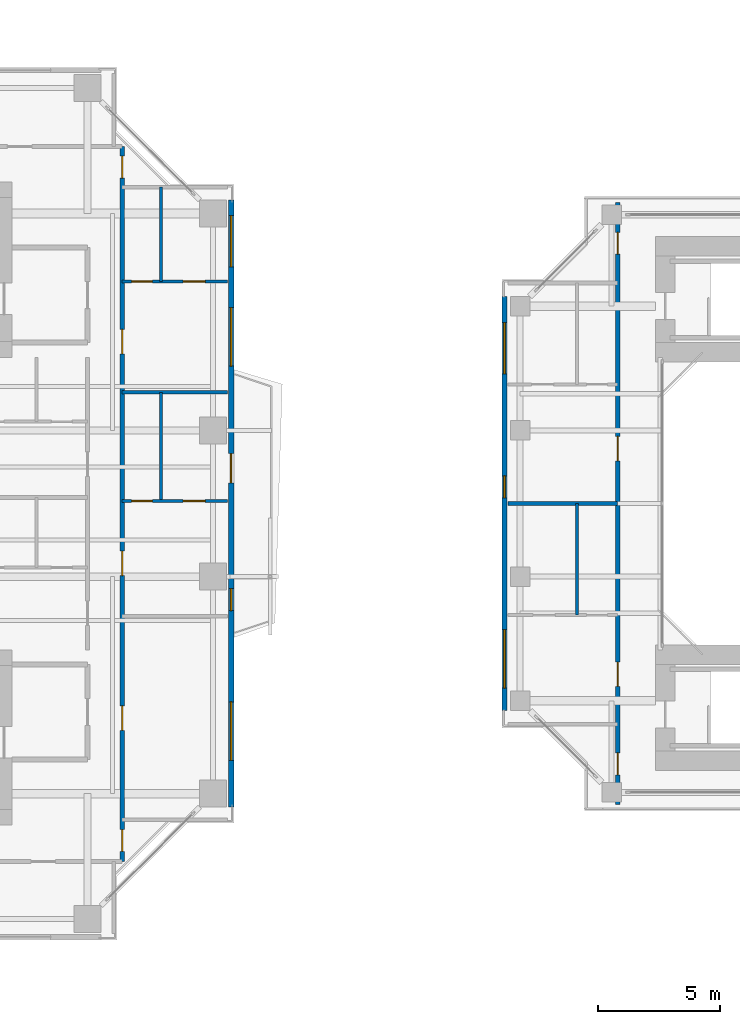
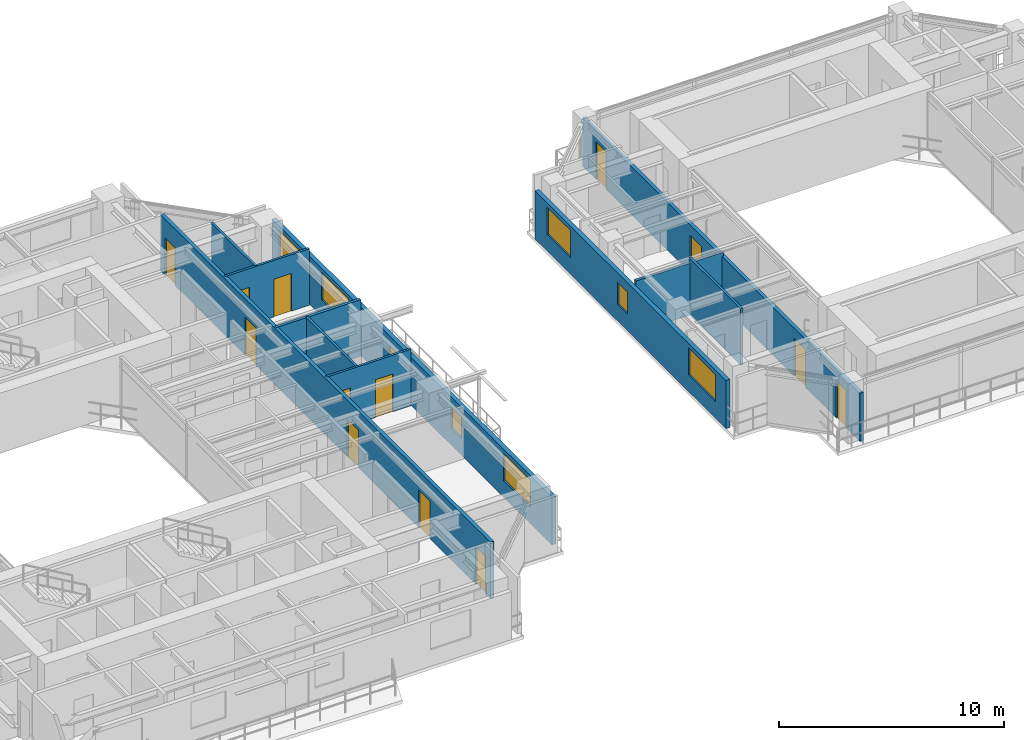
# One storey, part 17 of 24: 14 doors, 11 walls, 7 windows, 21 openings.
"""IFC4 building model written with IfcOpenShell, lengths in metres."""

import ifcopenshell
import ifcopenshell.guid

model = None  # the IFC model being written
_history = None  # IfcOwnerHistory: only IFC2X3 demands one
_inside = {}  # id of a spatial element -> (the spatial element, [elements in it])
_under = {}  # id of a project, library or spatial element -> (it, [spatial elements below it])
_declared = {}  # id of a project -> (the project, [libraries it declares])
_typed = {}  # id of a type object -> (the type object, [elements of that type])
_made_of = {}  # id of a material, layer set ... -> (it, [elements and type objects made of it])


def new_model(schema):
    """Start an empty IFC model of exactly this schema.

    Asked for "IFC4X3", IfcOpenShell would pick the latest addendum, in which some entities
    have other attributes; the version numbers below select the first issue.
    IFC2X3 requires an IfcOwnerHistory on every rooted entity: one is made here for all.
    """
    global model, _history
    if schema == "IFC4X3":
        model = ifcopenshell.file(schema_version=(4, 3, 0, 0))
    else:
        model = ifcopenshell.file(schema=schema)
    _inside.clear()
    _under.clear()
    _declared.clear()
    _typed.clear()
    _made_of.clear()
    _history = None
    if model.schema == "IFC2X3":
        org = make("IfcOrganization", Name="unknown")
        user = make(
            "IfcPersonAndOrganization",
            ThePerson=make("IfcPerson", FamilyName="unknown"),
            TheOrganization=org,
        )
        app = make(
            "IfcApplication",
            ApplicationDeveloper=org,
            Version="unknown",
            ApplicationFullName="unknown",
            ApplicationIdentifier="unknown",
        )
        _history = make(
            "IfcOwnerHistory",
            OwningUser=user,
            OwningApplication=app,
            ChangeAction="ADDED",
            CreationDate=0,
        )
    return model


def make(cls, **values):
    """One entity of the class cls with the attributes given. An attribute that is None is left unset."""
    return model.create_entity(
        cls, **{name: value for name, value in values.items() if value is not None}
    )


def rooted(cls, **values):
    """An entity with a GlobalId (a new one), such as an element, a storey or a relation."""
    return make(cls, GlobalId=ifcopenshell.guid.new(), OwnerHistory=_history, **values)


def si_unit(unit_type, name, prefix=None):
    """IfcSIUnit, for example si_unit("LENGTHUNIT", "METRE", prefix="MILLI")."""
    return make("IfcSIUnit", UnitType=unit_type, Prefix=prefix, Name=name)


def assignment(units):
    """IfcUnitAssignment: the units of a project."""
    return None if units is None else make("IfcUnitAssignment", Units=units)


def point(xyz):
    """IfcCartesianPoint."""
    return None if xyz is None else make("IfcCartesianPoint", Coordinates=xyz)


def direction(xyz):
    """IfcDirection."""
    return None if xyz is None else make("IfcDirection", DirectionRatios=xyz)


def frame(location, z_axis=None, x_axis=None):
    """IfcAxis2Placement3D, a coordinate frame: its origin and axes. An axis left out is left unset."""
    return make(
        "IfcAxis2Placement3D",
        Location=point(location),
        Axis=direction(z_axis),
        RefDirection=direction(x_axis),
    )


def frame_2d(location, x_axis=None):
    """IfcAxis2Placement2D, a coordinate frame in the plane: its origin and x axis."""
    return make(
        "IfcAxis2Placement2D", Location=point(location), RefDirection=direction(x_axis)
    )


def origin():
    """The frame at (0, 0, 0) with its axes left unset."""
    return frame((0.0, 0.0, 0.0))


def place(relative_to, where):
    """IfcLocalPlacement: puts the frame where relative to a parent placement (None: the world)."""
    return make(
        "IfcLocalPlacement", PlacementRelTo=relative_to, RelativePlacement=where
    )


def context(
    kind, dimensions, precision=None, world=None, true_north=None, identifier=None
):
    """IfcGeometricRepresentationContext, for example the 3D "Model" context."""
    return make(
        "IfcGeometricRepresentationContext",
        ContextIdentifier=identifier,
        ContextType=kind,
        CoordinateSpaceDimension=dimensions,
        Precision=precision,
        WorldCoordinateSystem=world,
        TrueNorth=true_north,
    )


def subcontext(parent, identifier, kind, view, scale=None):
    """IfcGeometricRepresentationSubContext, for example "Body" below "Model"."""
    return make(
        "IfcGeometricRepresentationSubContext",
        ContextIdentifier=identifier,
        ContextType=kind,
        ParentContext=parent,
        TargetScale=scale,
        TargetView=view,
    )


def project(units=None, contexts=None):
    """IfcProject with its units and contexts."""
    return rooted(
        "IfcProject",
        Name="project",
        RepresentationContexts=contexts,
        UnitsInContext=assignment(units),
    )


def spatial(cls, under=None, at=None, **own):
    """A site, building, storey or space (cls), placed at a placement, below another one or the project."""
    s = rooted(cls, ObjectPlacement=at, **own)
    if under is not None:
        _under.setdefault(under.id(), (under, []))[1].append(s)
    return s


def profile(cls, at=None, kind="AREA", **sizes):
    """A parametric profile (cls). Its sizes go by their IFC names, for example OverallWidth=200.0."""
    return make(cls, ProfileType=kind, Position=at, **sizes)


def rectangle(**sizes):
    """IfcRectangleProfileDef."""
    return profile("IfcRectangleProfileDef", **sizes)


def extrude(swept, where, along, depth):
    """IfcExtrudedAreaSolid: the profile swept, set in the frame where, extruded along a direction by depth."""
    return make(
        "IfcExtrudedAreaSolid",
        SweptArea=swept,
        Position=where,
        ExtrudedDirection=direction(along),
        Depth=depth,
    )


def shape(context_of_items, identifier, shape_type, items):
    """IfcShapeRepresentation: the items that make up one representation, for example the "Body"."""
    return make(
        "IfcShapeRepresentation",
        ContextOfItems=context_of_items,
        RepresentationIdentifier=identifier,
        RepresentationType=shape_type,
        Items=items,
    )


def source(mapping_origin, context_of_items, identifier, shape_type, items):
    """IfcRepresentationMap: a shape defined once, which mapped items show again and again."""
    return make(
        "IfcRepresentationMap",
        MappingOrigin=mapping_origin,
        MappedRepresentation=shape(context_of_items, identifier, shape_type, items),
    )


def transform(
    local_origin,
    x_axis=None,
    y_axis=None,
    z_axis=None,
    scale=None,
    scale2=None,
    scale3=None,
    uniform=True,
):
    """IfcCartesianTransformationOperator3D, or its non-uniform kind. x_axis, y_axis, z_axis: its Axis1, 2, 3."""
    if uniform:
        return make(
            "IfcCartesianTransformationOperator3D",
            Axis1=direction(x_axis),
            Axis2=direction(y_axis),
            LocalOrigin=point(local_origin),
            Scale=scale,
            Axis3=direction(z_axis),
        )
    return make(
        "IfcCartesianTransformationOperator3DnonUniform",
        Axis1=direction(x_axis),
        Axis2=direction(y_axis),
        LocalOrigin=point(local_origin),
        Scale=scale,
        Axis3=direction(z_axis),
        Scale2=scale2,
        Scale3=scale3,
    )


def mapped(mapping_source, mapping_target):
    """IfcMappedItem: shows the shape of a source again, moved by a transform."""
    return make(
        "IfcMappedItem", MappingSource=mapping_source, MappingTarget=mapping_target
    )


def material(Name=None, Category=None):
    """IfcMaterial."""
    return make("IfcMaterial", Name=Name, Category=Category)


def layer(
    of_material, thickness, ventilated=None, Name=None, Category=None, Priority=None
):
    """IfcMaterialLayer: one layer of a wall or slab, of a material (None: an air gap)."""
    return make(
        "IfcMaterialLayer",
        Material=of_material,
        LayerThickness=thickness,
        IsVentilated=ventilated,
        Name=Name,
        Category=Category,
        Priority=Priority,
    )


def layer_set(layers, Name=None):
    """IfcMaterialLayerSet."""
    return make("IfcMaterialLayerSet", MaterialLayers=layers, LayerSetName=Name)


def made_of(thing, what):
    """Note that an element or type object is made of a material, layer set ...; save() writes the relation."""
    if what is not None:
        _made_of.setdefault(what.id(), (what, []))[1].append(thing)
    return thing


def type_object(cls, material=None, **own):
    """A type object (cls), such as IfcWallType, which elements share."""
    return made_of(rooted(cls, **own), material)


def element(
    cls,
    number,
    at=None,
    inside=None,
    cuts=None,
    type_object=None,
    material=None,
    context=None,
    identifier="Body",
    shape_type=None,
    held_by="IfcProductDefinitionShape",
    body=None,
    shapes=None,
    **own,
):
    """One element of the class cls, such as IfcWall. Its Tag is "e" and its number.

    at: its placement. inside: the storey or other place that contains it. cuts: it is an
    opening in that element (IfcRelVoidsElement). A single representation is given by context,
    identifier, shape_type and body (its items); several are given by shapes. held_by: the class
    of the entity that holds the representations. save() writes the other relations.
    """
    e = rooted(cls, Tag="e%d" % number, ObjectPlacement=at, **own)
    if body is not None:
        shapes = [shape(context, identifier, shape_type, body)]
    if shapes is not None:
        e.Representation = make(held_by, Representations=shapes)
    if inside is not None:
        _inside.setdefault(inside.id(), (inside, []))[1].append(e)
    if cuts is not None:
        rooted(
            "IfcRelVoidsElement", RelatingBuildingElement=cuts, RelatedOpeningElement=e
        )
    if type_object is not None:
        _typed.setdefault(type_object.id(), (type_object, []))[1].append(e)
    return made_of(e, material)


def fill(opening, filler):
    """IfcRelFillsElement: the door or window that sits in an opening."""
    return rooted(
        "IfcRelFillsElement",
        RelatingOpeningElement=opening,
        RelatedBuildingElement=filler,
    )


def aggregate(whole, parts):
    """IfcRelAggregates: a whole, such as a stair, and the parts it consists of."""
    return rooted("IfcRelAggregates", RelatingObject=whole, RelatedObjects=parts)


def save(model, path):
    """Write the relations noted so far, then the file.

    IfcRelAggregates (storeys below a building ...), IfcRelContainedInSpatialStructure (elements
    in a storey), IfcRelDefinesByType, IfcRelAssociatesMaterial and IfcRelDeclares: one each for
    every whole, place, type object, material and project.
    """
    for whole, parts in _under.values():
        aggregate(whole, parts)
    for where, things in _inside.values():
        rooted(
            "IfcRelContainedInSpatialStructure",
            RelatedElements=things,
            RelatingStructure=where,
        )
    for kind, things in _typed.values():
        rooted("IfcRelDefinesByType", RelatedObjects=things, RelatingType=kind)
    for what, things in _made_of.values():
        rooted("IfcRelAssociatesMaterial", RelatedObjects=things, RelatingMaterial=what)
    for by, libraries in _declared.values():
        rooted("IfcRelDeclares", RelatingContext=by, RelatedDefinitions=libraries)
    model.write(path)


model = new_model("IFC4")

# Units and contexts
model_context = context("Model", 3, precision=1e-05, world=origin(), true_north=direction((0.0, 1.0)))
body_context = subcontext(model_context, "Body", "Model", "MODEL_VIEW")
ifc_project = project(units=[si_unit("LENGTHUNIT", "METRE"), si_unit("AREAUNIT", "SQUARE_METRE"), si_unit("VOLUMEUNIT", "CUBIC_METRE"), si_unit("PLANEANGLEUNIT", "RADIAN"), si_unit("MASSUNIT", "GRAM", prefix="KILO"), si_unit("THERMODYNAMICTEMPERATUREUNIT", "KELVIN"), si_unit("POWERUNIT", "WATT")], contexts=[model_context])

# Site, building, storey
site_placement = place(None, origin())
site = spatial("IfcSite", under=ifc_project, at=site_placement, CompositionType="ELEMENT")
building_placement = place(site_placement, origin())
building = spatial("IfcBuilding", under=site, at=building_placement, Name="Qiaomeng Ring Towers", CompositionType="ELEMENT")
storey_placement = place(building_placement, frame((0.0, 0.0, 110.0)))
storey = spatial("IfcBuildingStorey", under=building, at=storey_placement, Name="L31", CompositionType="ELEMENT", Elevation=110.0)

# Wall, openings, windows, door
ifc_material_1 = material(Name="Precast concrete C40", Category="concrete")
ifc_layer_1 = layer(ifc_material_1, 0.219970703125, Name="Precast concrete C40")
ifc_layer_set_1 = layer_set([ifc_layer_1], Name="Precast concrete C40")
wall_type_1 = type_object("IfcWallType", Name="ARC-WL-EW2", PredefinedType="STANDARD", material=ifc_layer_set_1)
wall_1_placement = place(storey_placement, frame((36.7900390625, 10.550048828125, 0.0), z_axis=(0.0, 0.0, 1.0), x_axis=(0.0, 1.0, 0.0)))
wall_1 = element("IfcWall", 1, at=wall_1_placement, inside=storey, type_object=wall_type_1, Name="L31 Tower 1 E Exterior Wall", PredefinedType="STANDARD", context=body_context, shape_type="SweptSolid", body=[
    extrude(rectangle(XDim=24.89990234375, YDim=0.219970703125, at=frame_2d((12.449951171875, 0.0))), origin(), (0.0, 0.0, 1.0), 2.610107421875),
])
opening_1_placement = place(wall_1_placement, frame((13.300048828125, 0.0, 0.0)))
opening_1 = element("IfcOpeningElement", 2, at=opening_1_placement, cuts=wall_1, Name="Opening BD1", PredefinedType="OPENING", context=body_context, shape_type="SweptSolid", body=[
    extrude(rectangle(XDim=1.199951171875, YDim=2.10009765625, at=frame_2d((0.60009765625, 1.050048828125))), frame((0.0, 0.119873046875, 0.0), z_axis=(0.0, -1.0, 0.0), x_axis=(1.0, 0.0, 0.0)), (0.0, 0.0, 1.0), 0.239990234375),
])
opening_2_placement = place(wall_1_placement, frame((1.912109375, 0.0, 0.89990234375)))
opening_2 = element("IfcOpeningElement", 3, at=opening_2_placement, cuts=wall_1, Name="Opening WN6", PredefinedType="OPENING", context=body_context, shape_type="SweptSolid", body=[
    extrude(rectangle(XDim=2.39990234375, YDim=1.47998046875, at=frame_2d((1.199951171875, 0.739990234375))), frame((0.0, 0.119873046875, 0.0), z_axis=(0.0, -1.0, 0.0), x_axis=(1.0, 0.0, 0.0)), (0.0, 0.0, 1.0), 0.239990234375),
])
opening_3_placement = place(wall_1_placement, frame((22.1650390625, 0.0, 0.89990234375)))
opening_3 = element("IfcOpeningElement", 4, at=opening_3_placement, cuts=wall_1, Name="Opening WN4", PredefinedType="OPENING", context=body_context, shape_type="SweptSolid", body=[
    extrude(rectangle(XDim=2.10009765625, YDim=1.5, at=frame_2d((1.050048828125, 0.75))), frame((0.0, 0.119873046875, 0.0), z_axis=(0.0, -1.0, 0.0), x_axis=(1.0, 0.0, 0.0)), (0.0, 0.0, 1.0), 0.239990234375),
])
opening_4_placement = place(wall_1_placement, frame((18.092529296875, 0.0, 0.89990234375)))
opening_4 = element("IfcOpeningElement", 5, at=opening_4_placement, cuts=wall_1, Name="Opening WN6", PredefinedType="OPENING", context=body_context, shape_type="SweptSolid", body=[
    extrude(rectangle(XDim=2.39990234375, YDim=1.5, at=frame_2d((1.199951171875, 0.75))), frame((0.0, 0.119873046875, 0.0), z_axis=(0.0, -1.0, 0.0), x_axis=(1.0, 0.0, 0.0)), (0.0, 0.0, 1.0), 0.239990234375),
])
opening_5_placement = place(wall_1_placement, frame((8.054931640625, 0.0, 0.89990234375)))
opening_5 = element("IfcOpeningElement", 6, at=opening_5_placement, cuts=wall_1, Name="Opening WN5", PredefinedType="OPENING", context=body_context, shape_type="SweptSolid", body=[
    extrude(rectangle(XDim=0.89990234375, YDim=1.199951171875, at=frame_2d((0.449951171875, 0.60009765625))), frame((0.0, 0.119873046875, 0.0), z_axis=(0.0, -1.0, 0.0), x_axis=(1.0, 0.0, 0.0)), (0.0, 0.0, 1.0), 0.239990234375),
])
ifc_material_2 = material(Name="Low-E dark-grey laminated double glazing", Category="glass")
window_type_1 = type_object("IfcWindowType", Name="ARC-WN-4", PartitioningType="TRIPLE_PANEL_VERTICAL", PredefinedType="WINDOW", material=ifc_material_2)
shared_shape_1 = source(origin(), body_context, "Body", "SweptSolid", [
    extrude(rectangle(XDim=2.10009765625, YDim=1.5, at=frame_2d((1.050048828125, 0.75))), frame((0.0, 0.030029296875, 0.0), z_axis=(0.0, -1.0, 0.0), x_axis=(1.0, 0.0, 0.0)), (0.0, 0.0, 1.0), 0.06005859375),
])
window_1_placement = place(opening_3_placement, origin())
window_1 = element("IfcWindow", 7, at=window_1_placement, inside=storey, type_object=window_type_1, Name="L31 Exterior Window WN4", OverallHeight=1.5, OverallWidth=2.10009765625, PartitioningType="TRIPLE_PANEL_VERTICAL", PredefinedType="WINDOW", context=body_context, shape_type="MappedRepresentation", body=[
    mapped(shared_shape_1, transform((0.0, 0.0, 0.0), x_axis=(1.0, 0.0, 0.0), y_axis=(0.0, 1.0, 0.0), z_axis=(0.0, 0.0, 1.0), scale=1.0)),
])
fill(opening_3, window_1)
window_type_2 = type_object("IfcWindowType", Name="ARC-WN-6", PartitioningType="TRIPLE_PANEL_VERTICAL", PredefinedType="WINDOW", material=ifc_material_2)
shared_shape_2 = source(origin(), body_context, "Body", "SweptSolid", [
    extrude(rectangle(XDim=2.39990234375, YDim=1.47998046875, at=frame_2d((1.199951171875, 0.739990234375))), frame((0.0, 0.030029296875, 0.0), z_axis=(0.0, -1.0, 0.0), x_axis=(1.0, 0.0, 0.0)), (0.0, 0.0, 1.0), 0.06005859375),
])
window_2_placement = place(opening_2_placement, origin())
window_2 = element("IfcWindow", 8, at=window_2_placement, inside=storey, type_object=window_type_2, Name="L31 Exterior Window WN6", OverallHeight=1.47998046875, OverallWidth=2.39990234375, PartitioningType="TRIPLE_PANEL_VERTICAL", PredefinedType="WINDOW", context=body_context, shape_type="MappedRepresentation", body=[
    mapped(shared_shape_2, transform((0.0, 0.0, 0.0), x_axis=(1.0, 0.0, 0.0), y_axis=(0.0, 1.0, 0.0), z_axis=(0.0, 0.0, 1.0), scale=1.0)),
])
fill(opening_2, window_2)
door_type_1 = type_object("IfcDoorType", Name="ARC-DR-BD1", OperationType="NOTDEFINED", PredefinedType="DOOR", material=ifc_material_2)
shared_shape_3 = source(origin(), body_context, "Body", "SweptSolid", [
    extrude(rectangle(XDim=1.199951171875, YDim=2.10009765625, at=frame_2d((0.60009765625, 1.050048828125))), frame((0.0, 0.02490234375, 0.0), z_axis=(0.0, -1.0, 0.0), x_axis=(1.0, 0.0, 0.0)), (0.0, 0.0, 1.0), 0.050048828125),
])
door_1_placement = place(opening_1_placement, origin())
door_1 = element("IfcDoor", 9, at=door_1_placement, inside=storey, type_object=door_type_1, Name="L31 E Balcony Glazed Door", OperationType="SINGLE_SWING_LEFT", OverallHeight=2.10009765625, OverallWidth=1.199951171875, PredefinedType="DOOR", context=body_context, shape_type="MappedRepresentation", body=[
    mapped(shared_shape_3, transform((0.0, 0.0, 0.0), x_axis=(1.0, 0.0, 0.0), y_axis=(0.0, 1.0, 0.0), z_axis=(0.0, 0.0, 1.0), scale=1.0)),
])
fill(opening_1, door_1)
shared_shape_4 = source(origin(), body_context, "Body", "SweptSolid", [
    extrude(rectangle(XDim=2.39990234375, YDim=1.5, at=frame_2d((1.199951171875, 0.75))), frame((0.0, 0.030029296875, 0.0), z_axis=(0.0, -1.0, 0.0), x_axis=(1.0, 0.0, 0.0)), (0.0, 0.0, 1.0), 0.06005859375),
])
window_3_placement = place(opening_4_placement, origin())
window_3 = element("IfcWindow", 10, at=window_3_placement, inside=storey, type_object=window_type_2, Name="L31 Exterior Window WN6", OverallHeight=1.5, OverallWidth=2.39990234375, PartitioningType="TRIPLE_PANEL_VERTICAL", PredefinedType="WINDOW", context=body_context, shape_type="MappedRepresentation", body=[
    mapped(shared_shape_4, transform((0.0, 0.0, 0.0), x_axis=(1.0, 0.0, 0.0), y_axis=(0.0, 1.0, 0.0), z_axis=(0.0, 0.0, 1.0), scale=1.0)),
])
fill(opening_4, window_3)
window_type_3 = type_object("IfcWindowType", Name="ARC-WN-5", PartitioningType="SINGLE_PANEL", PredefinedType="WINDOW", material=ifc_material_2)
shared_shape_5 = source(origin(), body_context, "Body", "SweptSolid", [
    extrude(rectangle(XDim=0.89990234375, YDim=1.199951171875, at=frame_2d((0.449951171875, 0.60009765625))), frame((0.0, 0.030029296875, 0.0), z_axis=(0.0, -1.0, 0.0), x_axis=(1.0, 0.0, 0.0)), (0.0, 0.0, 1.0), 0.06005859375),
])
window_4_placement = place(opening_5_placement, origin())
window_4 = element("IfcWindow", 11, at=window_4_placement, inside=storey, type_object=window_type_3, Name="L31 Exterior Window WN5", OverallHeight=1.199951171875, OverallWidth=0.89990234375, PartitioningType="SINGLE_PANEL", PredefinedType="WINDOW", context=body_context, shape_type="MappedRepresentation", body=[
    mapped(shared_shape_5, transform((0.0, 0.0, 0.0), x_axis=(1.0, 0.0, 0.0), y_axis=(0.0, 1.0, 0.0), z_axis=(0.0, 0.0, 1.0), scale=1.0)),
])
fill(opening_5, window_4)

# Wall, openings, windows
wall_2_placement = place(storey_placement, frame((48.010009765625, 14.5, 0.0), z_axis=(0.0, 0.0, 1.0), x_axis=(0.0, 1.0, 0.0)))
wall_2 = element("IfcWall", 12, at=wall_2_placement, inside=storey, type_object=wall_type_1, Name="L31 Companion West Wall", PredefinedType="STANDARD", context=body_context, shape_type="SweptSolid", body=[
    extrude(rectangle(XDim=17.0, YDim=0.219970703125, at=frame_2d((8.5, 0.0))), origin(), (0.0, 0.0, 1.0), 2.610107421875),
])
opening_6_placement = place(wall_2_placement, frame((0.925048828125, 0.0, 0.89990234375)))
opening_6 = element("IfcOpeningElement", 13, at=opening_6_placement, cuts=wall_2, Name="Opening WN6", PredefinedType="OPENING", context=body_context, shape_type="SweptSolid", body=[
    extrude(rectangle(XDim=2.39990234375, YDim=1.47998046875, at=frame_2d((1.199951171875, 0.739990234375))), frame((0.0, 0.119873046875, 0.0), z_axis=(0.0, -1.0, 0.0), x_axis=(1.0, 0.0, 0.0)), (0.0, 0.0, 1.0), 0.239990234375),
])
opening_7_placement = place(wall_2_placement, frame((13.824951171875, 0.0, 0.89990234375)))
opening_7 = element("IfcOpeningElement", 14, at=opening_7_placement, cuts=wall_2, Name="Opening WN4", PredefinedType="OPENING", context=body_context, shape_type="SweptSolid", body=[
    extrude(rectangle(XDim=2.10009765625, YDim=1.47998046875, at=frame_2d((1.050048828125, 0.739990234375))), frame((0.0, 0.119873046875, 0.0), z_axis=(0.0, -1.0, 0.0), x_axis=(1.0, 0.0, 0.0)), (0.0, 0.0, 1.0), 0.239990234375),
])
opening_8_placement = place(wall_2_placement, frame((8.735107421875, 0.0, 0.89990234375)))
opening_8 = element("IfcOpeningElement", 15, at=opening_8_placement, cuts=wall_2, Name="Opening WN5", PredefinedType="OPENING", context=body_context, shape_type="SweptSolid", body=[
    extrude(rectangle(XDim=0.89990234375, YDim=1.199951171875, at=frame_2d((0.449951171875, 0.60009765625))), frame((0.0, 0.119873046875, 0.0), z_axis=(0.0, -1.0, 0.0), x_axis=(1.0, 0.0, 0.0)), (0.0, 0.0, 1.0), 0.239990234375),
])
shared_shape_6 = source(origin(), body_context, "Body", "SweptSolid", [
    extrude(rectangle(XDim=2.10009765625, YDim=1.47998046875, at=frame_2d((1.050048828125, 0.739990234375))), frame((0.0, 0.030029296875, 0.0), z_axis=(0.0, -1.0, 0.0), x_axis=(1.0, 0.0, 0.0)), (0.0, 0.0, 1.0), 0.06005859375),
])
window_5_placement = place(opening_7_placement, origin())
window_5 = element("IfcWindow", 16, at=window_5_placement, inside=storey, type_object=window_type_1, Name="L31 Exterior Window WN4", OverallHeight=1.47998046875, OverallWidth=2.10009765625, PartitioningType="TRIPLE_PANEL_VERTICAL", PredefinedType="WINDOW", context=body_context, shape_type="MappedRepresentation", body=[
    mapped(shared_shape_6, transform((0.0, 0.0, 0.0), x_axis=(1.0, 0.0, 0.0), y_axis=(0.0, 1.0, 0.0), z_axis=(0.0, 0.0, 1.0), scale=1.0)),
])
fill(opening_7, window_5)
window_6_placement = place(opening_6_placement, origin())
window_6 = element("IfcWindow", 17, at=window_6_placement, inside=storey, type_object=window_type_2, Name="L31 Exterior Window WN6", OverallHeight=1.47998046875, OverallWidth=2.39990234375, PartitioningType="TRIPLE_PANEL_VERTICAL", PredefinedType="WINDOW", context=body_context, shape_type="MappedRepresentation", body=[
    mapped(shared_shape_2, transform((0.0, 0.0, 0.0), x_axis=(1.0, 0.0, 0.0), y_axis=(0.0, 1.0, 0.0), z_axis=(0.0, 0.0, 1.0), scale=1.0)),
])
fill(opening_6, window_6)
window_7_placement = place(opening_8_placement, origin())
window_7 = element("IfcWindow", 18, at=window_7_placement, inside=storey, type_object=window_type_3, Name="L31 Exterior Window WN5", OverallHeight=1.199951171875, OverallWidth=0.89990234375, PartitioningType="SINGLE_PANEL", PredefinedType="WINDOW", context=body_context, shape_type="MappedRepresentation", body=[
    mapped(shared_shape_5, transform((0.0, 0.0, 0.0), x_axis=(1.0, 0.0, 0.0), y_axis=(0.0, 1.0, 0.0), z_axis=(0.0, 0.0, 1.0), scale=1.0)),
])
fill(opening_8, window_7)

# Wall, openings, doors
ifc_material_3 = material(Name="Autoclaved aerated concrete block", Category="concrete")
ifc_layer_2 = layer(ifc_material_3, 0.179931640625, Name="Autoclaved aerated concrete block")
ifc_layer_set_2 = layer_set([ifc_layer_2], Name="Autoclaved aerated concrete block")
wall_type_2 = type_object("IfcWallType", Name="ARC-WL-PW2", PredefinedType="PARTITIONING", material=ifc_layer_set_2)
wall_3_placement = place(storey_placement, frame((32.320068359375, 8.31005859375, 0.0), z_axis=(0.0, 0.0, 1.0), x_axis=(0.0, 1.0, 0.0)))
wall_3 = element("IfcWall", 19, at=wall_3_placement, inside=storey, type_object=wall_type_2, Name="L31 Interior Wall PW2", PredefinedType="PARTITIONING", context=body_context, shape_type="SweptSolid", body=[
    extrude(rectangle(XDim=29.33984375, YDim=0.179931640625, at=frame_2d((14.669921875, 0.0))), origin(), (0.0, 0.0, 1.0), 3.070068359375),
])
opening_9_placement = place(wall_3_placement, frame((28.044921875, 0.0, 0.0)))
opening_9 = element("IfcOpeningElement", 20, at=opening_9_placement, cuts=wall_3, Name="Opening ID1", PredefinedType="OPENING", context=body_context, shape_type="SweptSolid", body=[
    extrude(rectangle(XDim=0.89990234375, YDim=2.050048828125, at=frame_2d((0.449951171875, 1.02490234375))), frame((0.0, 0.099853515625, 0.0), z_axis=(0.0, -1.0, 0.0), x_axis=(1.0, 0.0, 0.0)), (0.0, 0.0, 1.0), 0.199951171875),
])
opening_10_placement = place(wall_3_placement, frame((0.4150390625, 0.0, 0.0)))
opening_10 = element("IfcOpeningElement", 21, at=opening_10_placement, cuts=wall_3, Name="Opening ID1", PredefinedType="OPENING", context=body_context, shape_type="SweptSolid", body=[
    extrude(rectangle(XDim=0.89990234375, YDim=2.050048828125, at=frame_2d((0.449951171875, 1.02490234375))), frame((0.0, 0.099853515625, 0.0), z_axis=(0.0, -1.0, 0.0), x_axis=(1.0, 0.0, 0.0)), (0.0, 0.0, 1.0), 0.199951171875),
])
opening_11_placement = place(wall_3_placement, frame((5.385009765625, 0.0, 0.0)))
opening_11 = element("IfcOpeningElement", 22, at=opening_11_placement, cuts=wall_3, Name="Opening FD4", PredefinedType="OPENING", context=body_context, shape_type="SweptSolid", body=[
    extrude(rectangle(XDim=1.0, YDim=2.050048828125, at=frame_2d((0.5, 1.02490234375))), frame((0.0, 0.099853515625, 0.0), z_axis=(0.0, -1.0, 0.0), x_axis=(1.0, 0.0, 0.0)), (0.0, 0.0, 1.0), 0.199951171875),
])
opening_12_placement = place(wall_3_placement, frame((11.735107421875, 0.0, 0.0)))
opening_12 = element("IfcOpeningElement", 23, at=opening_12_placement, cuts=wall_3, Name="Opening FD4", PredefinedType="OPENING", context=body_context, shape_type="SweptSolid", body=[
    extrude(rectangle(XDim=1.0, YDim=2.050048828125, at=frame_2d((0.5, 1.02490234375))), frame((0.0, 0.099853515625, 0.0), z_axis=(0.0, -1.0, 0.0), x_axis=(1.0, 0.0, 0.0)), (0.0, 0.0, 1.0), 0.199951171875),
])
opening_13_placement = place(wall_3_placement, frame((20.8349609375, 0.0, 0.0)))
opening_13 = element("IfcOpeningElement", 24, at=opening_13_placement, cuts=wall_3, Name="Opening FD4", PredefinedType="OPENING", context=body_context, shape_type="SweptSolid", body=[
    extrude(rectangle(XDim=1.0, YDim=2.050048828125, at=frame_2d((0.5, 1.02490234375))), frame((0.0, 0.099853515625, 0.0), z_axis=(0.0, -1.0, 0.0), x_axis=(1.0, 0.0, 0.0)), (0.0, 0.0, 1.0), 0.199951171875),
])
ifc_material_4 = material(Name="Engineered fire-rated oak timber", Category="wood")
door_type_2 = type_object("IfcDoorType", Name="ARC-DR-FD4", OperationType="NOTDEFINED", PredefinedType="DOOR", material=ifc_material_4)
shared_shape_7 = source(origin(), body_context, "Body", "SweptSolid", [
    extrude(rectangle(XDim=1.0, YDim=2.050048828125, at=frame_2d((0.5, 1.02490234375))), frame((0.0, 0.02490234375, 0.0), z_axis=(0.0, -1.0, 0.0), x_axis=(1.0, 0.0, 0.0)), (0.0, 0.0, 1.0), 0.050048828125),
])
door_2_placement = place(opening_11_placement, origin())
door_2 = element("IfcDoor", 25, at=door_2_placement, inside=storey, type_object=door_type_2, Name="L31 Door FD4", OperationType="SINGLE_SWING_LEFT", OverallHeight=2.050048828125, OverallWidth=1.0, PredefinedType="DOOR", context=body_context, shape_type="MappedRepresentation", body=[
    mapped(shared_shape_7, transform((0.0, 0.0, 0.0), x_axis=(1.0, 0.0, 0.0), y_axis=(0.0, 1.0, 0.0), z_axis=(0.0, 0.0, 1.0), scale=1.0)),
])
fill(opening_11, door_2)
door_3_placement = place(opening_12_placement, origin())
door_3 = element("IfcDoor", 26, at=door_3_placement, inside=storey, type_object=door_type_2, Name="L31 Door FD4", OperationType="SINGLE_SWING_RIGHT", OverallHeight=2.050048828125, OverallWidth=1.0, PredefinedType="DOOR", context=body_context, shape_type="MappedRepresentation", body=[
    mapped(shared_shape_7, transform((0.0, 0.0, 0.0), x_axis=(1.0, 0.0, 0.0), y_axis=(0.0, 1.0, 0.0), z_axis=(0.0, 0.0, 1.0), scale=1.0)),
])
fill(opening_12, door_3)
door_4_placement = place(opening_13_placement, origin())
door_4 = element("IfcDoor", 27, at=door_4_placement, inside=storey, type_object=door_type_2, Name="L31 Door FD4", OperationType="SINGLE_SWING_LEFT", OverallHeight=2.050048828125, OverallWidth=1.0, PredefinedType="DOOR", context=body_context, shape_type="MappedRepresentation", body=[
    mapped(shared_shape_7, transform((0.0, 0.0, 0.0), x_axis=(1.0, 0.0, 0.0), y_axis=(0.0, 1.0, 0.0), z_axis=(0.0, 0.0, 1.0), scale=1.0)),
])
fill(opening_13, door_4)
ifc_material_5 = material(Name="Engineered oak timber", Category="wood")
door_type_3 = type_object("IfcDoorType", Name="ARC-DR-ID1", OperationType="NOTDEFINED", PredefinedType="DOOR", material=ifc_material_5)
shared_shape_8 = source(origin(), body_context, "Body", "SweptSolid", [
    extrude(rectangle(XDim=0.89990234375, YDim=2.050048828125, at=frame_2d((0.449951171875, 1.02490234375))), frame((0.0, 0.02490234375, 0.0), z_axis=(0.0, -1.0, 0.0), x_axis=(1.0, 0.0, 0.0)), (0.0, 0.0, 1.0), 0.050048828125),
])
door_5_placement = place(opening_9_placement, origin())
door_5 = element("IfcDoor", 28, at=door_5_placement, inside=storey, type_object=door_type_3, Name="L31 Door ID1", OperationType="SINGLE_SWING_LEFT", OverallHeight=2.050048828125, OverallWidth=0.89990234375, PredefinedType="DOOR", context=body_context, shape_type="MappedRepresentation", body=[
    mapped(shared_shape_8, transform((0.0, 0.0, 0.0), x_axis=(1.0, 0.0, 0.0), y_axis=(0.0, 1.0, 0.0), z_axis=(0.0, 0.0, 1.0), scale=1.0)),
])
fill(opening_9, door_5)
door_6_placement = place(opening_10_placement, origin())
door_6 = element("IfcDoor", 29, at=door_6_placement, inside=storey, type_object=door_type_3, Name="L31 Door ID1", OperationType="SINGLE_SWING_RIGHT", OverallHeight=2.050048828125, OverallWidth=0.89990234375, PredefinedType="DOOR", context=body_context, shape_type="MappedRepresentation", body=[
    mapped(shared_shape_8, transform((0.0, 0.0, 0.0), x_axis=(1.0, 0.0, 0.0), y_axis=(0.0, 1.0, 0.0), z_axis=(0.0, 0.0, 1.0), scale=1.0)),
])
fill(opening_10, door_6)

wall_4_placement = place(storey_placement, frame((52.64990234375, 10.64990234375, 0.0), z_axis=(0.0, 0.0, 1.0), x_axis=(0.0, 1.0, 0.0)))
wall_4 = element("IfcWall", 30, at=wall_4_placement, inside=storey, type_object=wall_type_2, Name="L31 Interior Wall PW2", PredefinedType="PARTITIONING", context=body_context, shape_type="SweptSolid", body=[
    extrude(rectangle(XDim=24.7001953125, YDim=0.179931640625, at=frame_2d((12.35009765625, 0.0))), origin(), (0.0, 0.0, 1.0), 2.614990234375),
])
opening_14_placement = place(wall_4_placement, frame((22.580078125, 0.0, 0.0)))
opening_14 = element("IfcOpeningElement", 31, at=opening_14_placement, cuts=wall_4, Name="Opening ID1", PredefinedType="OPENING", context=body_context, shape_type="SweptSolid", body=[
    extrude(rectangle(XDim=0.89990234375, YDim=2.050048828125, at=frame_2d((0.449951171875, 1.02490234375))), frame((0.0, 0.099853515625, 0.0), z_axis=(0.0, -1.0, 0.0), x_axis=(1.0, 0.0, 0.0)), (0.0, 0.0, 1.0), 0.199951171875),
])
opening_15_placement = place(wall_4_placement, frame((1.219970703125, 0.0, 0.0)))
opening_15 = element("IfcOpeningElement", 32, at=opening_15_placement, cuts=wall_4, Name="Opening ID1", PredefinedType="OPENING", context=body_context, shape_type="SweptSolid", body=[
    extrude(rectangle(XDim=0.89990234375, YDim=2.050048828125, at=frame_2d((0.449951171875, 1.02490234375))), frame((0.0, 0.099853515625, 0.0), z_axis=(0.0, -1.0, 0.0), x_axis=(1.0, 0.0, 0.0)), (0.0, 0.0, 1.0), 0.199951171875),
])
opening_16_placement = place(wall_4_placement, frame((4.844970703125, 0.0, 0.0)))
opening_16 = element("IfcOpeningElement", 33, at=opening_16_placement, cuts=wall_4, Name="Opening FD4", PredefinedType="OPENING", context=body_context, shape_type="SweptSolid", body=[
    extrude(rectangle(XDim=1.0, YDim=2.050048828125, at=frame_2d((0.5, 1.02490234375))), frame((0.0, 0.099853515625, 0.0), z_axis=(0.0, -1.0, 0.0), x_axis=(1.0, 0.0, 0.0)), (0.0, 0.0, 1.0), 0.199951171875),
])
opening_17_placement = place(wall_4_placement, frame((14.10498046875, 0.0, 0.0)))
opening_17 = element("IfcOpeningElement", 34, at=opening_17_placement, cuts=wall_4, Name="Opening FD4", PredefinedType="OPENING", context=body_context, shape_type="SweptSolid", body=[
    extrude(rectangle(XDim=1.0, YDim=2.050048828125, at=frame_2d((0.5, 1.02490234375))), frame((0.0, 0.099853515625, 0.0), z_axis=(0.0, -1.0, 0.0), x_axis=(1.0, 0.0, 0.0)), (0.0, 0.0, 1.0), 0.199951171875),
])
door_7_placement = place(opening_16_placement, origin())
door_7 = element("IfcDoor", 35, at=door_7_placement, inside=storey, type_object=door_type_2, Name="L31 Door FD4", OperationType="SINGLE_SWING_RIGHT", OverallHeight=2.050048828125, OverallWidth=1.0, PredefinedType="DOOR", context=body_context, shape_type="MappedRepresentation", body=[
    mapped(shared_shape_7, transform((0.0, 0.0, 0.0), x_axis=(1.0, 0.0, 0.0), y_axis=(0.0, 1.0, 0.0), z_axis=(0.0, 0.0, 1.0), scale=1.0)),
])
fill(opening_16, door_7)
door_8_placement = place(opening_17_placement, origin())
door_8 = element("IfcDoor", 36, at=door_8_placement, inside=storey, type_object=door_type_2, Name="L31 Door FD4", OperationType="SINGLE_SWING_LEFT", OverallHeight=2.050048828125, OverallWidth=1.0, PredefinedType="DOOR", context=body_context, shape_type="MappedRepresentation", body=[
    mapped(shared_shape_7, transform((0.0, 0.0, 0.0), x_axis=(1.0, 0.0, 0.0), y_axis=(0.0, 1.0, 0.0), z_axis=(0.0, 0.0, 1.0), scale=1.0)),
])
fill(opening_17, door_8)
door_9_placement = place(opening_14_placement, origin())
door_9 = element("IfcDoor", 37, at=door_9_placement, inside=storey, type_object=door_type_3, Name="L31 Door ID1", OperationType="SINGLE_SWING_RIGHT", OverallHeight=2.050048828125, OverallWidth=0.89990234375, PredefinedType="DOOR", context=body_context, shape_type="MappedRepresentation", body=[
    mapped(shared_shape_8, transform((0.0, 0.0, 0.0), x_axis=(1.0, 0.0, 0.0), y_axis=(0.0, 1.0, 0.0), z_axis=(0.0, 0.0, 1.0), scale=1.0)),
])
fill(opening_14, door_9)
door_10_placement = place(opening_15_placement, origin())
door_10 = element("IfcDoor", 38, at=door_10_placement, inside=storey, type_object=door_type_3, Name="L31 Door ID1", OperationType="SINGLE_SWING_LEFT", OverallHeight=2.050048828125, OverallWidth=0.89990234375, PredefinedType="DOOR", context=body_context, shape_type="MappedRepresentation", body=[
    mapped(shared_shape_8, transform((0.0, 0.0, 0.0), x_axis=(1.0, 0.0, 0.0), y_axis=(0.0, 1.0, 0.0), z_axis=(0.0, 0.0, 1.0), scale=1.0)),
])
fill(opening_15, door_10)

# Walls
ifc_material_6 = material(Name="Gypsum fireboard steel-stud partition", Category="steel")
ifc_layer_3 = layer(ifc_material_6, 0.14990234375, Name="Gypsum fireboard steel-stud partition")
ifc_layer_set_3 = layer_set([ifc_layer_3], Name="Gypsum fireboard steel-stud partition")
wall_type_3 = type_object("IfcWallType", Name="ARC-WL-PW3", PredefinedType="PARTITIONING", material=ifc_layer_set_3)
wall_5_placement = place(storey_placement, frame((32.320068359375, 27.56005859375, 0.0), z_axis=(0.0, 0.0, 1.0), x_axis=(1.0, 0.0, 0.0)))
element("IfcWall", 39, at=wall_5_placement, inside=storey, type_object=wall_type_3, Name="L31 Interior Wall PW3", PredefinedType="PARTITIONING", context=body_context, shape_type="SweptSolid", body=[
    extrude(rectangle(XDim=4.329833984375, YDim=0.14990234375, at=frame_2d((2.1650390625, 0.0))), origin(), (0.0, 0.0, 1.0), 3.070068359375),
])
wall_6_placement = place(storey_placement, frame((48.14990234375, 23.0, 0.0), z_axis=(0.0, 0.0, 1.0), x_axis=(1.0, 0.0, 0.0)))
element("IfcWall", 40, at=wall_6_placement, inside=storey, type_object=wall_type_3, Name="L31 Interior Wall PW3", PredefinedType="PARTITIONING", context=body_context, shape_type="SweptSolid", body=[
    extrude(rectangle(XDim=4.5, YDim=0.14990234375, at=frame_2d((2.25, 0.0))), origin(), (0.0, 0.0, 1.0), 2.821044921875),
])

# Wall, openings, doors
ifc_material_7 = material(Name="Moisture-resistant gypsum steel-stud partition", Category="steel")
ifc_layer_4 = layer(ifc_material_7, 0.1201171875, Name="Moisture-resistant gypsum steel-stud partition")
ifc_layer_set_4 = layer_set([ifc_layer_4], Name="Moisture-resistant gypsum steel-stud partition")
wall_type_4 = type_object("IfcWallType", Name="ARC-WL-PW4", PredefinedType="PLUMBINGWALL", material=ifc_layer_set_4)
wall_7_placement = place(storey_placement, frame((32.320068359375, 23.10009765625, 0.0), z_axis=(0.0, 0.0, 1.0), x_axis=(1.0, 0.0, 0.0)))
wall_7 = element("IfcWall", 41, at=wall_7_placement, inside=storey, type_object=wall_type_4, Name="L31 Interior Wall PW4", PredefinedType="PLUMBINGWALL", context=body_context, shape_type="SweptSolid", body=[
    extrude(rectangle(XDim=4.329833984375, YDim=0.1201171875, at=frame_2d((2.1650390625, 0.0))), origin(), (0.0, 0.0, 1.0), 3.070068359375),
])
opening_18_placement = place(wall_7_placement, frame((0.385009765625, 0.0, 0.0)))
opening_18 = element("IfcOpeningElement", 42, at=opening_18_placement, cuts=wall_7, Name="Opening ID2", PredefinedType="OPENING", context=body_context, shape_type="SweptSolid", body=[
    extrude(rectangle(XDim=0.85009765625, YDim=2.050048828125, at=frame_2d((0.425048828125, 1.02490234375))), frame((0.0, 0.070068359375, 0.0), z_axis=(0.0, -1.0, 0.0), x_axis=(1.0, 0.0, 0.0)), (0.0, 0.0, 1.0), 0.14013671875),
])
opening_19_placement = place(wall_7_placement, frame((2.5048828125, 0.0, 0.0)))
opening_19 = element("IfcOpeningElement", 43, at=opening_19_placement, cuts=wall_7, Name="Opening ID1", PredefinedType="OPENING", context=body_context, shape_type="SweptSolid", body=[
    extrude(rectangle(XDim=0.89990234375, YDim=2.050048828125, at=frame_2d((0.449951171875, 1.02490234375))), frame((0.0, 0.070068359375, 0.0), z_axis=(0.0, -1.0, 0.0), x_axis=(1.0, 0.0, 0.0)), (0.0, 0.0, 1.0), 0.14013671875),
])
ifc_material_8 = material(Name="Moisture-resistant engineered timber", Category="wood")
door_type_4 = type_object("IfcDoorType", Name="ARC-DR-ID2", OperationType="NOTDEFINED", PredefinedType="DOOR", material=ifc_material_8)
shared_shape_9 = source(origin(), body_context, "Body", "SweptSolid", [
    extrude(rectangle(XDim=0.85009765625, YDim=2.050048828125, at=frame_2d((0.425048828125, 1.02490234375))), frame((0.0, 0.02490234375, 0.0), z_axis=(0.0, -1.0, 0.0), x_axis=(1.0, 0.0, 0.0)), (0.0, 0.0, 1.0), 0.050048828125),
])
door_11_placement = place(opening_18_placement, origin())
door_11 = element("IfcDoor", 44, at=door_11_placement, inside=storey, type_object=door_type_4, Name="L31 Door ID2", OperationType="SINGLE_SWING_RIGHT", OverallHeight=2.050048828125, OverallWidth=0.85009765625, PredefinedType="DOOR", context=body_context, shape_type="MappedRepresentation", body=[
    mapped(shared_shape_9, transform((0.0, 0.0, 0.0), x_axis=(1.0, 0.0, 0.0), y_axis=(0.0, 1.0, 0.0), z_axis=(0.0, 0.0, 1.0), scale=1.0)),
])
fill(opening_18, door_11)
door_12_placement = place(opening_19_placement, origin())
door_12 = element("IfcDoor", 45, at=door_12_placement, inside=storey, type_object=door_type_3, Name="L31 Door ID1", OperationType="SINGLE_SWING_LEFT", OverallHeight=2.050048828125, OverallWidth=0.89990234375, PredefinedType="DOOR", context=body_context, shape_type="MappedRepresentation", body=[
    mapped(shared_shape_8, transform((0.0, 0.0, 0.0), x_axis=(1.0, 0.0, 0.0), y_axis=(0.0, 1.0, 0.0), z_axis=(0.0, 0.0, 1.0), scale=1.0)),
])
fill(opening_19, door_12)

# Wall
wall_8_placement = place(storey_placement, frame((33.919921875, 23.10009765625, 0.0), z_axis=(0.0, 0.0, 1.0), x_axis=(0.0, 1.0, 0.0)))
element("IfcWall", 46, at=wall_8_placement, inside=storey, type_object=wall_type_4, Name="L31 Interior Wall PW4", PredefinedType="PLUMBINGWALL", context=body_context, shape_type="SweptSolid", body=[
    extrude(rectangle(XDim=4.4599609375, YDim=0.1201171875, at=frame_2d((2.22998046875, 0.0))), origin(), (0.0, 0.0, 1.0), 3.070068359375),
])

# Wall, openings, doors
wall_9_placement = place(storey_placement, frame((32.320068359375, 32.110107421875, 0.0), z_axis=(0.0, 0.0, 1.0), x_axis=(1.0, 0.0, 0.0)))
wall_9 = element("IfcWall", 47, at=wall_9_placement, inside=storey, type_object=wall_type_4, Name="L31 Interior Wall PW4", PredefinedType="PLUMBINGWALL", context=body_context, shape_type="SweptSolid", body=[
    extrude(rectangle(XDim=4.329833984375, YDim=0.1201171875, at=frame_2d((2.1650390625, 0.0))), origin(), (0.0, 0.0, 1.0), 3.070068359375),
])
opening_20_placement = place(wall_9_placement, frame((0.385009765625, 0.0, 0.0)))
opening_20 = element("IfcOpeningElement", 48, at=opening_20_placement, cuts=wall_9, Name="Opening ID2", PredefinedType="OPENING", context=body_context, shape_type="SweptSolid", body=[
    extrude(rectangle(XDim=0.85009765625, YDim=2.050048828125, at=frame_2d((0.425048828125, 1.02490234375))), frame((0.0, 0.070068359375, 0.0), z_axis=(0.0, -1.0, 0.0), x_axis=(1.0, 0.0, 0.0)), (0.0, 0.0, 1.0), 0.14013671875),
])
opening_21_placement = place(wall_9_placement, frame((2.5048828125, 0.0, 0.0)))
opening_21 = element("IfcOpeningElement", 49, at=opening_21_placement, cuts=wall_9, Name="Opening ID1", PredefinedType="OPENING", context=body_context, shape_type="SweptSolid", body=[
    extrude(rectangle(XDim=0.89990234375, YDim=2.050048828125, at=frame_2d((0.449951171875, 1.02490234375))), frame((0.0, 0.070068359375, 0.0), z_axis=(0.0, -1.0, 0.0), x_axis=(1.0, 0.0, 0.0)), (0.0, 0.0, 1.0), 0.14013671875),
])
door_13_placement = place(opening_20_placement, origin())
door_13 = element("IfcDoor", 50, at=door_13_placement, inside=storey, type_object=door_type_4, Name="L31 Door ID2", OperationType="SINGLE_SWING_LEFT", OverallHeight=2.050048828125, OverallWidth=0.85009765625, PredefinedType="DOOR", context=body_context, shape_type="MappedRepresentation", body=[
    mapped(shared_shape_9, transform((0.0, 0.0, 0.0), x_axis=(1.0, 0.0, 0.0), y_axis=(0.0, 1.0, 0.0), z_axis=(0.0, 0.0, 1.0), scale=1.0)),
])
fill(opening_20, door_13)
door_14_placement = place(opening_21_placement, origin())
door_14 = element("IfcDoor", 51, at=door_14_placement, inside=storey, type_object=door_type_3, Name="L31 Door ID1", OperationType="SINGLE_SWING_RIGHT", OverallHeight=2.050048828125, OverallWidth=0.89990234375, PredefinedType="DOOR", context=body_context, shape_type="MappedRepresentation", body=[
    mapped(shared_shape_8, transform((0.0, 0.0, 0.0), x_axis=(1.0, 0.0, 0.0), y_axis=(0.0, 1.0, 0.0), z_axis=(0.0, 0.0, 1.0), scale=1.0)),
])
fill(opening_21, door_14)

# Walls
wall_10_placement = place(storey_placement, frame((33.919921875, 32.110107421875, 0.0), z_axis=(0.0, 0.0, 1.0), x_axis=(0.0, 1.0, 0.0)))
element("IfcWall", 52, at=wall_10_placement, inside=storey, type_object=wall_type_4, Name="L31 Interior Wall PW4", PredefinedType="PLUMBINGWALL", context=body_context, shape_type="SweptSolid", body=[
    extrude(rectangle(XDim=3.869873046875, YDim=0.1201171875, at=frame_2d((1.93505859375, 0.0))), origin(), (0.0, 0.0, 1.0), 3.070068359375),
])
wall_11_placement = place(storey_placement, frame((50.97998046875, 18.419921875, 0.0), z_axis=(0.0, 0.0, 1.0), x_axis=(0.0, 1.0, 0.0)))
element("IfcWall", 53, at=wall_11_placement, inside=storey, type_object=wall_type_4, Name="L31 Interior Wall PW4", PredefinedType="PLUMBINGWALL", context=body_context, shape_type="SweptSolid", body=[
    extrude(rectangle(XDim=4.580078125, YDim=0.1201171875, at=frame_2d((2.2900390625, 0.0))), origin(), (0.0, 0.0, 1.0), 3.070068359375),
])

save(model, "model.ifc")
